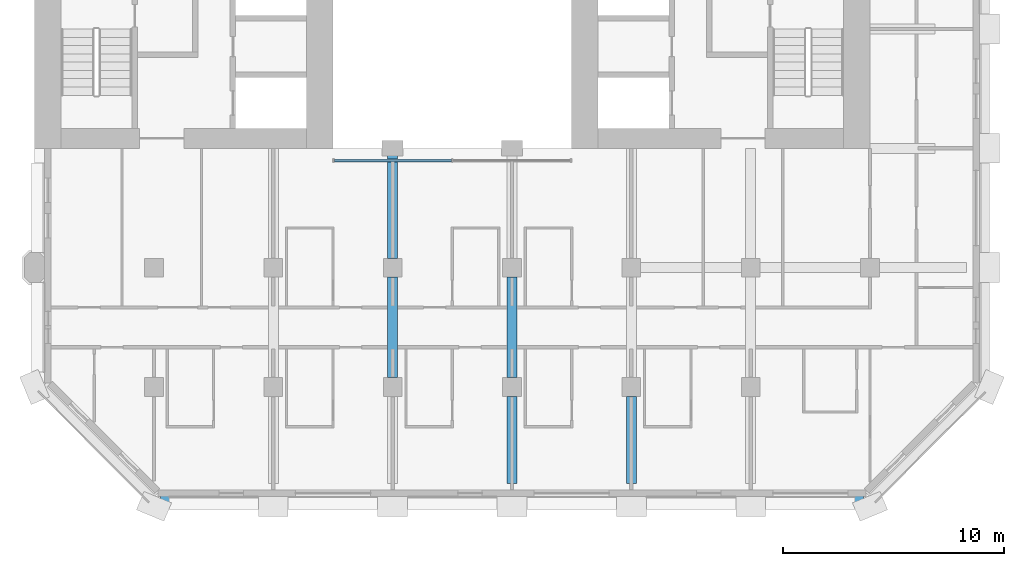
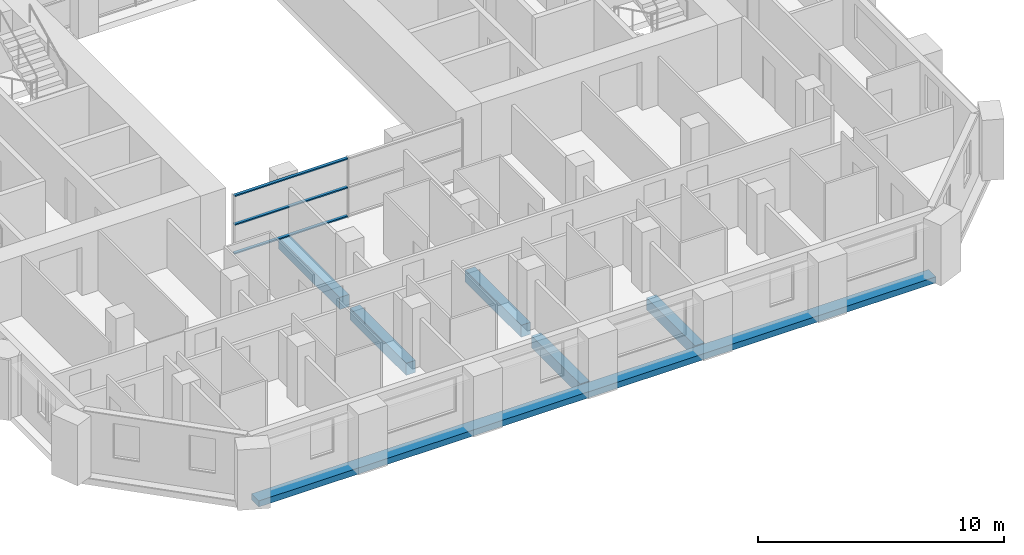
# One storey, part 3 of 16: 6 beams, 3 members, 1 element without a shape of its own.
"""IFC4 building model written with IfcOpenShell, lengths in metres."""

import ifcopenshell
import ifcopenshell.guid

model = None  # the IFC model being written
_history = None  # IfcOwnerHistory: only IFC2X3 demands one
_inside = {}  # id of a spatial element -> (the spatial element, [elements in it])
_under = {}  # id of a project, library or spatial element -> (it, [spatial elements below it])
_declared = {}  # id of a project -> (the project, [libraries it declares])
_typed = {}  # id of a type object -> (the type object, [elements of that type])
_made_of = {}  # id of a material, layer set ... -> (it, [elements and type objects made of it])


def new_model(schema):
    """Start an empty IFC model of exactly this schema.

    Asked for "IFC4X3", IfcOpenShell would pick the latest addendum, in which some entities
    have other attributes; the version numbers below select the first issue.
    IFC2X3 requires an IfcOwnerHistory on every rooted entity: one is made here for all.
    """
    global model, _history
    if schema == "IFC4X3":
        model = ifcopenshell.file(schema_version=(4, 3, 0, 0))
    else:
        model = ifcopenshell.file(schema=schema)
    _inside.clear()
    _under.clear()
    _declared.clear()
    _typed.clear()
    _made_of.clear()
    _history = None
    if model.schema == "IFC2X3":
        org = make("IfcOrganization", Name="unknown")
        user = make(
            "IfcPersonAndOrganization",
            ThePerson=make("IfcPerson", FamilyName="unknown"),
            TheOrganization=org,
        )
        app = make(
            "IfcApplication",
            ApplicationDeveloper=org,
            Version="unknown",
            ApplicationFullName="unknown",
            ApplicationIdentifier="unknown",
        )
        _history = make(
            "IfcOwnerHistory",
            OwningUser=user,
            OwningApplication=app,
            ChangeAction="ADDED",
            CreationDate=0,
        )
    return model


def make(cls, **values):
    """One entity of the class cls with the attributes given. An attribute that is None is left unset."""
    return model.create_entity(
        cls, **{name: value for name, value in values.items() if value is not None}
    )


def rooted(cls, **values):
    """An entity with a GlobalId (a new one), such as an element, a storey or a relation."""
    return make(cls, GlobalId=ifcopenshell.guid.new(), OwnerHistory=_history, **values)


def si_unit(unit_type, name, prefix=None):
    """IfcSIUnit, for example si_unit("LENGTHUNIT", "METRE", prefix="MILLI")."""
    return make("IfcSIUnit", UnitType=unit_type, Prefix=prefix, Name=name)


def assignment(units):
    """IfcUnitAssignment: the units of a project."""
    return None if units is None else make("IfcUnitAssignment", Units=units)


def point(xyz):
    """IfcCartesianPoint."""
    return None if xyz is None else make("IfcCartesianPoint", Coordinates=xyz)


def direction(xyz):
    """IfcDirection."""
    return None if xyz is None else make("IfcDirection", DirectionRatios=xyz)


def frame(location, z_axis=None, x_axis=None):
    """IfcAxis2Placement3D, a coordinate frame: its origin and axes. An axis left out is left unset."""
    return make(
        "IfcAxis2Placement3D",
        Location=point(location),
        Axis=direction(z_axis),
        RefDirection=direction(x_axis),
    )


def frame_2d(location, x_axis=None):
    """IfcAxis2Placement2D, a coordinate frame in the plane: its origin and x axis."""
    return make(
        "IfcAxis2Placement2D", Location=point(location), RefDirection=direction(x_axis)
    )


def origin():
    """The frame at (0, 0, 0) with its axes left unset."""
    return frame((0.0, 0.0, 0.0))


def origin_2d():
    """The frame at (0, 0) in the plane with its x axis left unset."""
    return frame_2d((0.0, 0.0))


def place(relative_to, where):
    """IfcLocalPlacement: puts the frame where relative to a parent placement (None: the world)."""
    return make(
        "IfcLocalPlacement", PlacementRelTo=relative_to, RelativePlacement=where
    )


def context(
    kind, dimensions, precision=None, world=None, true_north=None, identifier=None
):
    """IfcGeometricRepresentationContext, for example the 3D "Model" context."""
    return make(
        "IfcGeometricRepresentationContext",
        ContextIdentifier=identifier,
        ContextType=kind,
        CoordinateSpaceDimension=dimensions,
        Precision=precision,
        WorldCoordinateSystem=world,
        TrueNorth=true_north,
    )


def subcontext(parent, identifier, kind, view, scale=None):
    """IfcGeometricRepresentationSubContext, for example "Body" below "Model"."""
    return make(
        "IfcGeometricRepresentationSubContext",
        ContextIdentifier=identifier,
        ContextType=kind,
        ParentContext=parent,
        TargetScale=scale,
        TargetView=view,
    )


def project(units=None, contexts=None):
    """IfcProject with its units and contexts."""
    return rooted(
        "IfcProject",
        Name="project",
        RepresentationContexts=contexts,
        UnitsInContext=assignment(units),
    )


def spatial(cls, under=None, at=None, **own):
    """A site, building, storey or space (cls), placed at a placement, below another one or the project."""
    s = rooted(cls, ObjectPlacement=at, **own)
    if under is not None:
        _under.setdefault(under.id(), (under, []))[1].append(s)
    return s


def profile(cls, at=None, kind="AREA", **sizes):
    """A parametric profile (cls). Its sizes go by their IFC names, for example OverallWidth=200.0."""
    return make(cls, ProfileType=kind, Position=at, **sizes)


def rectangle(**sizes):
    """IfcRectangleProfileDef."""
    return profile("IfcRectangleProfileDef", **sizes)


def extrude(swept, where, along, depth):
    """IfcExtrudedAreaSolid: the profile swept, set in the frame where, extruded along a direction by depth."""
    return make(
        "IfcExtrudedAreaSolid",
        SweptArea=swept,
        Position=where,
        ExtrudedDirection=direction(along),
        Depth=depth,
    )


def shape(context_of_items, identifier, shape_type, items):
    """IfcShapeRepresentation: the items that make up one representation, for example the "Body"."""
    return make(
        "IfcShapeRepresentation",
        ContextOfItems=context_of_items,
        RepresentationIdentifier=identifier,
        RepresentationType=shape_type,
        Items=items,
    )


def material(Name=None, Category=None):
    """IfcMaterial."""
    return make("IfcMaterial", Name=Name, Category=Category)


def material_profile(
    of_material, cross_section, Name=None, Category=None, Priority=None
):
    """IfcMaterialProfile: a cross section and its material."""
    return make(
        "IfcMaterialProfile",
        Name=Name,
        Material=of_material,
        Profile=cross_section,
        Priority=Priority,
        Category=Category,
    )


def profile_set(profiles, Name=None, composite=None):
    """IfcMaterialProfileSet."""
    return make(
        "IfcMaterialProfileSet",
        Name=Name,
        MaterialProfiles=profiles,
        CompositeProfile=composite,
    )


def made_of(thing, what):
    """Note that an element or type object is made of a material, layer set ...; save() writes the relation."""
    if what is not None:
        _made_of.setdefault(what.id(), (what, []))[1].append(thing)
    return thing


def type_object(cls, material=None, **own):
    """A type object (cls), such as IfcWallType, which elements share."""
    return made_of(rooted(cls, **own), material)


def element(
    cls,
    number,
    at=None,
    inside=None,
    cuts=None,
    type_object=None,
    material=None,
    context=None,
    identifier="Body",
    shape_type=None,
    held_by="IfcProductDefinitionShape",
    body=None,
    shapes=None,
    **own,
):
    """One element of the class cls, such as IfcWall. Its Tag is "e" and its number.

    at: its placement. inside: the storey or other place that contains it. cuts: it is an
    opening in that element (IfcRelVoidsElement). A single representation is given by context,
    identifier, shape_type and body (its items); several are given by shapes. held_by: the class
    of the entity that holds the representations. save() writes the other relations.
    """
    e = rooted(cls, Tag="e%d" % number, ObjectPlacement=at, **own)
    if body is not None:
        shapes = [shape(context, identifier, shape_type, body)]
    if shapes is not None:
        e.Representation = make(held_by, Representations=shapes)
    if inside is not None:
        _inside.setdefault(inside.id(), (inside, []))[1].append(e)
    if cuts is not None:
        rooted(
            "IfcRelVoidsElement", RelatingBuildingElement=cuts, RelatedOpeningElement=e
        )
    if type_object is not None:
        _typed.setdefault(type_object.id(), (type_object, []))[1].append(e)
    return made_of(e, material)


def aggregate(whole, parts):
    """IfcRelAggregates: a whole, such as a stair, and the parts it consists of."""
    return rooted("IfcRelAggregates", RelatingObject=whole, RelatedObjects=parts)


def save(model, path):
    """Write the relations noted so far, then the file.

    IfcRelAggregates (storeys below a building ...), IfcRelContainedInSpatialStructure (elements
    in a storey), IfcRelDefinesByType, IfcRelAssociatesMaterial and IfcRelDeclares: one each for
    every whole, place, type object, material and project.
    """
    for whole, parts in _under.values():
        aggregate(whole, parts)
    for where, things in _inside.values():
        rooted(
            "IfcRelContainedInSpatialStructure",
            RelatedElements=things,
            RelatingStructure=where,
        )
    for kind, things in _typed.values():
        rooted("IfcRelDefinesByType", RelatedObjects=things, RelatingType=kind)
    for what, things in _made_of.values():
        rooted("IfcRelAssociatesMaterial", RelatedObjects=things, RelatingMaterial=what)
    for by, libraries in _declared.values():
        rooted("IfcRelDeclares", RelatingContext=by, RelatedDefinitions=libraries)
    model.write(path)


model = new_model("IFC4")

# Units and contexts
model_context = context("Model", 3, precision=1e-05, world=origin(), true_north=direction((0.0, 1.0)))
body_context = subcontext(model_context, "Body", "Model", "MODEL_VIEW")
ifc_project = project(units=[si_unit("LENGTHUNIT", "METRE"), si_unit("AREAUNIT", "SQUARE_METRE"), si_unit("VOLUMEUNIT", "CUBIC_METRE"), si_unit("PLANEANGLEUNIT", "RADIAN"), si_unit("MASSUNIT", "GRAM", prefix="KILO")], contexts=[model_context])

# Site, building, storey
site_placement = place(None, origin())
site = spatial("IfcSite", under=ifc_project, at=site_placement, CompositionType="ELEMENT")
building_placement = place(site_placement, origin())
building = spatial("IfcBuilding", under=site, at=building_placement, Name="Tabaq Tower and Sports Hall", CompositionType="ELEMENT")
storey_placement = place(building_placement, frame((0.0, 0.0, 156.10009765625)))
storey = spatial("IfcBuildingStorey", under=building, at=storey_placement, Name="L36", CompositionType="ELEMENT", Elevation=156.10009765625)

# Curtain wall, members
ifc_material_1 = material(Name="Aluminium alloy 6063-T6 framed glazing", Category="aluminium")
curtain_wall_type = type_object("IfcCurtainWallType", Name="CW1 curtain wall", PredefinedType="USERDEFINED", material=ifc_material_1)
curtain_wall_placement = place(storey_placement, origin())
curtain_wall = element("IfcCurtainWall", 1, at=curtain_wall_placement, inside=storey, type_object=curtain_wall_type, Name="Atrium glazing L36 S", ObjectType="ATRIUM ENCLOSURE", PredefinedType="USERDEFINED")
ifc_material_2 = material(Name="Aluminium alloy 6063-T6", Category="aluminium")
ifc_material_profile_1 = material_profile(ifc_material_2, rectangle(XDim=0.139892578125, YDim=0.06005859375, at=origin_2d()), Name="TRANSOM 140x60")
ifc_profile_set_1 = profile_set([ifc_material_profile_1], Name="Aluminium alloy 6063-T6")
member_type = type_object("IfcMemberType", Name="CW1 transom 140x60", PredefinedType="USERDEFINED", material=ifc_profile_set_1)
member_1_placement = place(storey_placement, frame((18.9599609375, 15.64990234375, 0.06982421875), z_axis=(1.0, 0.0, 0.0), x_axis=(0.0, 1.0, 0.0)))
member_1 = element("IfcMember", 2, at=member_1_placement, type_object=member_type, Name="CW1 transom 1.1", ObjectType="TRANSOM", PredefinedType="USERDEFINED", context=body_context, shape_type="SweptSolid", body=[
    extrude(rectangle(XDim=0.139892578125, YDim=0.06005859375, at=origin_2d()), origin(), (0.0, 0.0, 1.0), 5.31005859375),
])
member_2_placement = place(storey_placement, frame((18.9599609375, 15.64990234375, 1.5), z_axis=(1.0, 0.0, 0.0), x_axis=(0.0, 1.0, 0.0)))
member_2 = element("IfcMember", 3, at=member_2_placement, type_object=member_type, Name="CW1 transom 1.2", ObjectType="TRANSOM", PredefinedType="USERDEFINED", context=body_context, shape_type="SweptSolid", body=[
    extrude(rectangle(XDim=0.139892578125, YDim=0.06005859375, at=origin_2d()), origin(), (0.0, 0.0, 1.0), 5.31005859375),
])
member_3_placement = place(storey_placement, frame((18.9599609375, 15.64990234375, 2.929931640625), z_axis=(1.0, 0.0, 0.0), x_axis=(0.0, 1.0, 0.0)))
member_3 = element("IfcMember", 4, at=member_3_placement, type_object=member_type, Name="CW1 transom 1.3", ObjectType="TRANSOM", PredefinedType="USERDEFINED", context=body_context, shape_type="SweptSolid", body=[
    extrude(rectangle(XDim=0.139892578125, YDim=0.06005859375, at=origin_2d()), origin(), (0.0, 0.0, 1.0), 5.31005859375),
])
aggregate(curtain_wall, [member_1, member_2, member_3])

# Beams
ifc_material_3 = material(Name="Concrete C40/50", Category="concrete")
ifc_material_profile_2 = material_profile(ifc_material_3, rectangle(XDim=0.449951171875, YDim=0.60009765625, at=origin_2d()), Name="CB 450x600")
ifc_profile_set_2 = profile_set([ifc_material_profile_2], Name="Concrete C40/50")
beam_type_1 = type_object("IfcBeamType", Name="PT CANTILEVER BEAM CB 450x600 C40/50", PredefinedType="BEAM", material=ifc_profile_set_2)
beam_1_placement = place(storey_placement, frame((21.60009765625, 5.824951171875, -0.60009765625), z_axis=(0.0, 1.0, 0.0), x_axis=(-1.0, 0.0, 0.0)))
element("IfcBeam", 5, at=beam_1_placement, inside=storey, type_object=beam_type_1, Name="Cantilever Beam L36 S4 span 2", PredefinedType="BEAM", context=body_context, shape_type="SweptSolid", body=[
    extrude(rectangle(XDim=0.449951171875, YDim=0.60009765625, at=origin_2d()), origin(), (0.0, 0.0, 1.0), 4.550048828125),
])
beam_2_placement = place(storey_placement, frame((21.60009765625, 11.22509765625, -0.60009765625), z_axis=(0.0, 1.0, 0.0), x_axis=(-1.0, 0.0, 0.0)))
element("IfcBeam", 6, at=beam_2_placement, inside=storey, type_object=beam_type_1, Name="Cantilever Beam L36 S4 span 3", PredefinedType="BEAM", context=body_context, shape_type="SweptSolid", body=[
    extrude(rectangle(XDim=0.449951171875, YDim=0.60009765625, at=origin_2d()), origin(), (0.0, 0.0, 1.0), 4.974853515625),
])
beam_3_placement = place(storey_placement, frame((27.0, 1.02490234375, -0.60009765625), z_axis=(0.0, 1.0, 0.0), x_axis=(-1.0, 0.0, 0.0)))
element("IfcBeam", 7, at=beam_3_placement, inside=storey, type_object=beam_type_1, Name="Cantilever Beam L36 S5 span 1", PredefinedType="BEAM", context=body_context, shape_type="SweptSolid", body=[
    extrude(rectangle(XDim=0.449951171875, YDim=0.60009765625, at=origin_2d()), origin(), (0.0, 0.0, 1.0), 3.9501953125),
])
beam_4_placement = place(storey_placement, frame((27.0, 5.824951171875, -0.60009765625), z_axis=(0.0, 1.0, 0.0), x_axis=(-1.0, 0.0, 0.0)))
element("IfcBeam", 8, at=beam_4_placement, inside=storey, type_object=beam_type_1, Name="Cantilever Beam L36 S5 span 2", PredefinedType="BEAM", context=body_context, shape_type="SweptSolid", body=[
    extrude(rectangle(XDim=0.449951171875, YDim=0.60009765625, at=origin_2d()), origin(), (0.0, 0.0, 1.0), 4.550048828125),
])
beam_5_placement = place(storey_placement, frame((32.39990234375, 1.02490234375, -0.60009765625), z_axis=(0.0, 1.0, 0.0), x_axis=(-1.0, 0.0, 0.0)))
element("IfcBeam", 9, at=beam_5_placement, inside=storey, type_object=beam_type_1, Name="Cantilever Beam L36 S6 span 1", PredefinedType="BEAM", context=body_context, shape_type="SweptSolid", body=[
    extrude(rectangle(XDim=0.449951171875, YDim=0.60009765625, at=origin_2d()), origin(), (0.0, 0.0, 1.0), 3.9501953125),
])
ifc_material_4 = material(Name="Concrete C40/50", Category="concrete")
ifc_material_profile_3 = material_profile(ifc_material_4, rectangle(XDim=0.60009765625, YDim=0.300048828125, at=origin_2d()), Name="EB 600x300")
ifc_profile_set_3 = profile_set([ifc_material_profile_3], Name="Concrete C40/50")
beam_type_2 = type_object("IfcBeamType", Name="PT EDGE BEAM EB 600x300 C40/50", PredefinedType="SPANDREL", material=ifc_profile_set_3)
beam_6_placement = place(storey_placement, frame((11.0986328125, 0.300048828125, -0.150146484375), z_axis=(1.0, 0.0, 0.0), x_axis=(0.0, 1.0, 0.0)))
element("IfcBeam", 10, at=beam_6_placement, inside=storey, type_object=beam_type_2, Name="Edge Beam L36 1", PredefinedType="SPANDREL", context=body_context, shape_type="SweptSolid", body=[
    extrude(rectangle(XDim=0.60009765625, YDim=0.300048828125, at=origin_2d()), origin(), (0.0, 0.0, 1.0), 31.802734375),
])

save(model, "model.ifc")
